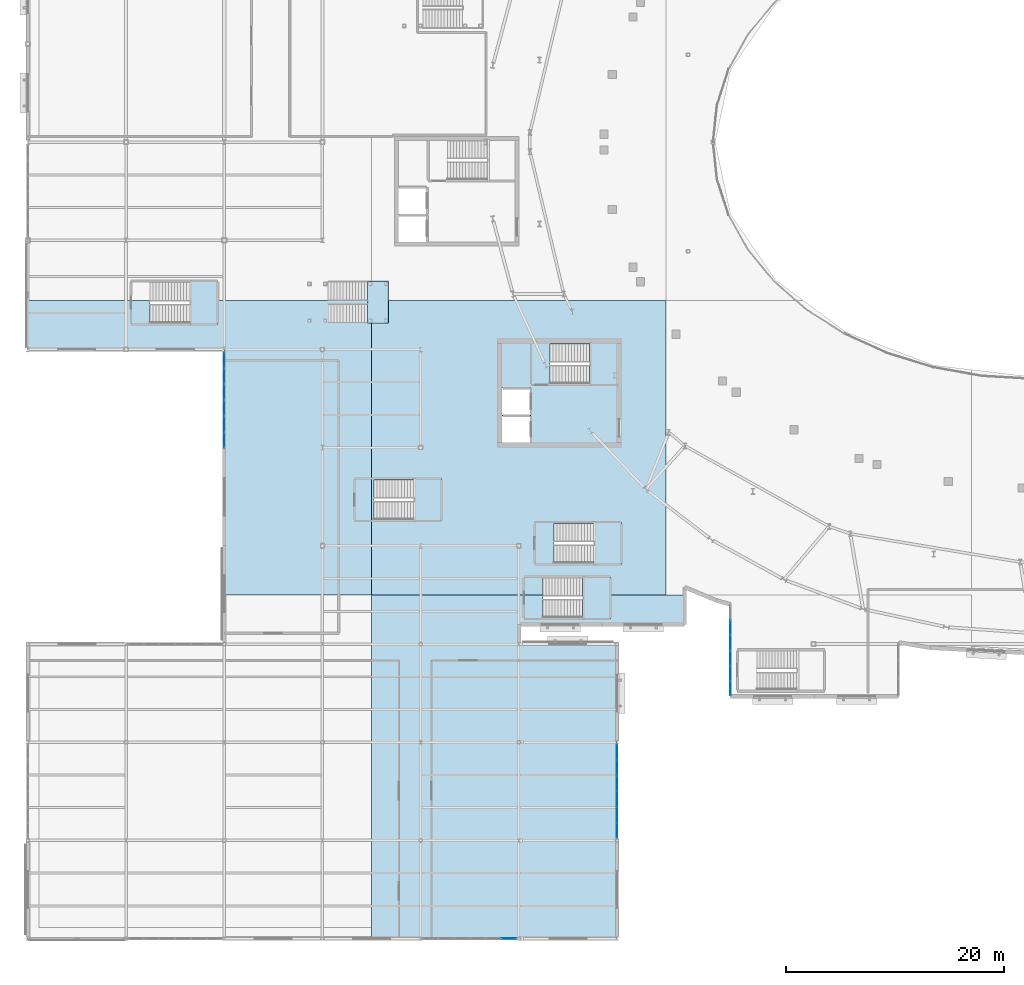
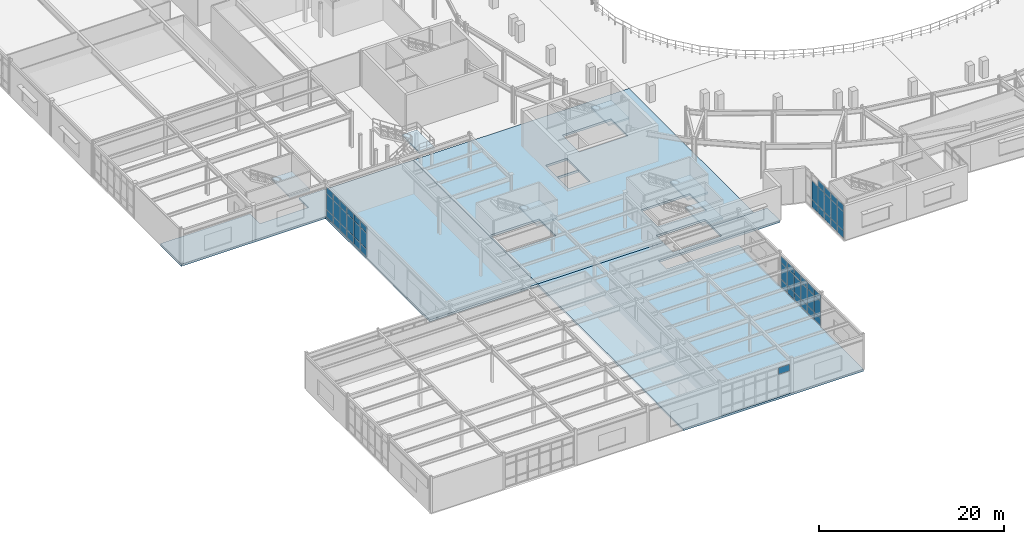
# One storey, part 50 of 84: 51 plates, 9 slabs, 10 elements without a shape of their own.
"""IFC4 building model written with IfcOpenShell, lengths in metres."""

from ifc_helpers import new_model, si_unit, direction, frame, origin, origin_2d, place, context, subcontext, project, spatial, polyline, rectangle, outline, extrude, material, layer, layer_set, type_object, element, aggregate, save


model = new_model("IFC4")

# Units and contexts
model_context = context("Model", 3, precision=1e-05, world=origin(), true_north=direction((0.0, 1.0)))
body_context = subcontext(model_context, "Body", "Model", "MODEL_VIEW")
ifc_project = project(units=[si_unit("LENGTHUNIT", "METRE"), si_unit("AREAUNIT", "SQUARE_METRE"), si_unit("VOLUMEUNIT", "CUBIC_METRE"), si_unit("PLANEANGLEUNIT", "RADIAN"), si_unit("MASSUNIT", "GRAM", prefix="KILO")], contexts=[model_context])

# Site, building, storey
site_placement = place(None, origin())
site = spatial("IfcSite", under=ifc_project, at=site_placement, CompositionType="ELEMENT")
building_placement = place(site_placement, origin())
building = spatial("IfcBuilding", under=site, at=building_placement, Name="Glasvene Arena", CompositionType="ELEMENT")
storey_placement = place(building_placement, frame((0.0, 0.0, 10.199951171875)))
storey = spatial("IfcBuildingStorey", under=building, at=storey_placement, Name="L02", CompositionType="ELEMENT", Elevation=10.199951171875)

# Curtain wall, plates
ifc_material_1 = material(Name="Low-emissivity laminated double glazing", Category="glass")
curtain_wall_type_1 = type_object("IfcCurtainWallType", Name="CW-FAC-L02-834x446", PredefinedType="USERDEFINED", material=ifc_material_1)
curtain_wall_1_placement = place(storey_placement, frame((64.39990234375, 22.239990234375, 0.0)))
curtain_wall_1 = element("IfcCurtainWall", 1, at=curtain_wall_1_placement, inside=storey, type_object=curtain_wall_type_1, Name="Unitised curtain wall CW-F-L02-180-644-264-58", ObjectType="CURTAIN WALL", PredefinedType="USERDEFINED")
ifc_layer_1 = layer(ifc_material_1, 0.028076171875)
ifc_layer_set_1 = layer_set([ifc_layer_1], Name="Low-emissivity laminated double glazing")
plate_type = type_object("IfcPlateType", Name="CW-GLZ-28", PredefinedType="CURTAIN_PANEL", material=ifc_layer_set_1)
plate_1_placement = place(storey_placement, frame((64.39990234375, 22.94775390625, 0.10986328125), z_axis=(0.0, 0.0, 1.0), x_axis=(0.0, 1.0, 0.0)))
plate_1 = element("IfcPlate", 2, at=plate_1_placement, type_object=plate_type, Name="CW-028 panel 1.1", PredefinedType="CURTAIN_PANEL", context=body_context, shape_type="SweptSolid", body=[
    extrude(rectangle(XDim=1.315185546875, YDim=0.028076171875, at=origin_2d()), origin(), (0.0, 0.0, 1.0), 0.965087890625),
])
plate_2_placement = place(storey_placement, frame((64.39990234375, 22.94775390625, 1.125), z_axis=(0.0, 0.0, 1.0), x_axis=(0.0, 1.0, 0.0)))
plate_2 = element("IfcPlate", 3, at=plate_2_placement, type_object=plate_type, Name="CW-028 panel 1.2", PredefinedType="CURTAIN_PANEL", context=body_context, shape_type="SweptSolid", body=[
    extrude(rectangle(XDim=1.315185546875, YDim=0.028076171875, at=origin_2d()), origin(), (0.0, 0.0, 1.0), 2.469970703125),
])
plate_3_placement = place(storey_placement, frame((64.39990234375, 22.94775390625, 3.64501953125), z_axis=(0.0, 0.0, 1.0), x_axis=(0.0, 1.0, 0.0)))
plate_3 = element("IfcPlate", 4, at=plate_3_placement, type_object=plate_type, Name="CW-028 panel 1.3", PredefinedType="CURTAIN_PANEL", context=body_context, shape_type="SweptSolid", body=[
    extrude(rectangle(XDim=1.315185546875, YDim=0.028076171875, at=origin_2d()), origin(), (0.0, 0.0, 1.0), 0.824951171875),
])
plate_4_placement = place(storey_placement, frame((64.39990234375, 24.325439453125, 0.10986328125), z_axis=(0.0, 0.0, 1.0), x_axis=(0.0, 1.0, 0.0)))
plate_4 = element("IfcPlate", 5, at=plate_4_placement, type_object=plate_type, Name="CW-028 panel 2.1", PredefinedType="CURTAIN_PANEL", context=body_context, shape_type="SweptSolid", body=[
    extrude(rectangle(XDim=1.34033203125, YDim=0.028076171875, at=origin_2d()), origin(), (0.0, 0.0, 1.0), 0.965087890625),
])
plate_5_placement = place(storey_placement, frame((64.39990234375, 24.325439453125, 1.125), z_axis=(0.0, 0.0, 1.0), x_axis=(0.0, 1.0, 0.0)))
plate_5 = element("IfcPlate", 6, at=plate_5_placement, type_object=plate_type, Name="CW-028 panel 2.2", PredefinedType="CURTAIN_PANEL", context=body_context, shape_type="SweptSolid", body=[
    extrude(rectangle(XDim=1.34033203125, YDim=0.028076171875, at=origin_2d()), origin(), (0.0, 0.0, 1.0), 2.469970703125),
])
plate_6_placement = place(storey_placement, frame((64.39990234375, 24.325439453125, 3.64501953125), z_axis=(0.0, 0.0, 1.0), x_axis=(0.0, 1.0, 0.0)))
plate_6 = element("IfcPlate", 7, at=plate_6_placement, type_object=plate_type, Name="CW-028 panel 2.3", PredefinedType="CURTAIN_PANEL", context=body_context, shape_type="SweptSolid", body=[
    extrude(rectangle(XDim=1.34033203125, YDim=0.028076171875, at=origin_2d()), origin(), (0.0, 0.0, 1.0), 0.824951171875),
])
plate_7_placement = place(storey_placement, frame((64.39990234375, 25.7158203125, 0.10986328125), z_axis=(0.0, 0.0, 1.0), x_axis=(0.0, 1.0, 0.0)))
plate_7 = element("IfcPlate", 8, at=plate_7_placement, type_object=plate_type, Name="CW-028 panel 3.1", PredefinedType="CURTAIN_PANEL", context=body_context, shape_type="SweptSolid", body=[
    extrude(rectangle(XDim=1.34033203125, YDim=0.028076171875, at=origin_2d()), origin(), (0.0, 0.0, 1.0), 0.965087890625),
])
plate_8_placement = place(storey_placement, frame((64.39990234375, 25.7158203125, 1.125), z_axis=(0.0, 0.0, 1.0), x_axis=(0.0, 1.0, 0.0)))
plate_8 = element("IfcPlate", 9, at=plate_8_placement, type_object=plate_type, Name="CW-028 panel 3.2", PredefinedType="CURTAIN_PANEL", context=body_context, shape_type="SweptSolid", body=[
    extrude(rectangle(XDim=1.34033203125, YDim=0.028076171875, at=origin_2d()), origin(), (0.0, 0.0, 1.0), 2.469970703125),
])
plate_9_placement = place(storey_placement, frame((64.39990234375, 25.7158203125, 3.64501953125), z_axis=(0.0, 0.0, 1.0), x_axis=(0.0, 1.0, 0.0)))
plate_9 = element("IfcPlate", 10, at=plate_9_placement, type_object=plate_type, Name="CW-028 panel 3.3", PredefinedType="CURTAIN_PANEL", context=body_context, shape_type="SweptSolid", body=[
    extrude(rectangle(XDim=1.34033203125, YDim=0.028076171875, at=origin_2d()), origin(), (0.0, 0.0, 1.0), 0.824951171875),
])
plate_10_placement = place(storey_placement, frame((64.39990234375, 27.10595703125, 0.10986328125), z_axis=(0.0, 0.0, 1.0), x_axis=(0.0, 1.0, 0.0)))
plate_10 = element("IfcPlate", 11, at=plate_10_placement, type_object=plate_type, Name="CW-028 panel 4.1", PredefinedType="CURTAIN_PANEL", context=body_context, shape_type="SweptSolid", body=[
    extrude(rectangle(XDim=1.34033203125, YDim=0.028076171875, at=origin_2d()), origin(), (0.0, 0.0, 1.0), 0.965087890625),
])
plate_11_placement = place(storey_placement, frame((64.39990234375, 27.10595703125, 1.125), z_axis=(0.0, 0.0, 1.0), x_axis=(0.0, 1.0, 0.0)))
plate_11 = element("IfcPlate", 12, at=plate_11_placement, type_object=plate_type, Name="CW-028 panel 4.2", PredefinedType="CURTAIN_PANEL", context=body_context, shape_type="SweptSolid", body=[
    extrude(rectangle(XDim=1.34033203125, YDim=0.028076171875, at=origin_2d()), origin(), (0.0, 0.0, 1.0), 2.469970703125),
])
plate_12_placement = place(storey_placement, frame((64.39990234375, 27.10595703125, 3.64501953125), z_axis=(0.0, 0.0, 1.0), x_axis=(0.0, 1.0, 0.0)))
plate_12 = element("IfcPlate", 13, at=plate_12_placement, type_object=plate_type, Name="CW-028 panel 4.3", PredefinedType="CURTAIN_PANEL", context=body_context, shape_type="SweptSolid", body=[
    extrude(rectangle(XDim=1.34033203125, YDim=0.028076171875, at=origin_2d()), origin(), (0.0, 0.0, 1.0), 0.824951171875),
])
plate_13_placement = place(storey_placement, frame((64.39990234375, 28.496337890625, 0.10986328125), z_axis=(0.0, 0.0, 1.0), x_axis=(0.0, 1.0, 0.0)))
plate_13 = element("IfcPlate", 14, at=plate_13_placement, type_object=plate_type, Name="CW-028 panel 5.1", PredefinedType="CURTAIN_PANEL", context=body_context, shape_type="SweptSolid", body=[
    extrude(rectangle(XDim=1.34033203125, YDim=0.028076171875, at=origin_2d()), origin(), (0.0, 0.0, 1.0), 0.965087890625),
])
plate_14_placement = place(storey_placement, frame((64.39990234375, 28.496337890625, 1.125), z_axis=(0.0, 0.0, 1.0), x_axis=(0.0, 1.0, 0.0)))
plate_14 = element("IfcPlate", 15, at=plate_14_placement, type_object=plate_type, Name="CW-028 panel 5.2", PredefinedType="CURTAIN_PANEL", context=body_context, shape_type="SweptSolid", body=[
    extrude(rectangle(XDim=1.34033203125, YDim=0.028076171875, at=origin_2d()), origin(), (0.0, 0.0, 1.0), 2.469970703125),
])
aggregate(curtain_wall_1, [plate_1, plate_2, plate_3, plate_4, plate_5, plate_6, plate_7, plate_8, plate_9, plate_10, plate_11, plate_12, plate_13, plate_14])

curtain_wall_type_2 = type_object("IfcCurtainWallType", Name="CW-FAC-L02-864x416", PredefinedType="USERDEFINED", material=ifc_material_1)
curtain_wall_2_placement = place(storey_placement, frame((54.0, 17.827880859375, 0.0)))
curtain_wall_2 = element("IfcCurtainWall", 16, at=curtain_wall_2_placement, inside=storey, type_object=curtain_wall_type_2, Name="Unitised curtain wall CW-F-L02-180-540-135-67", ObjectType="CURTAIN WALL", PredefinedType="USERDEFINED")
plate_15_placement = place(storey_placement, frame((54.0, 17.095703125, 0.10986328125), z_axis=(0.0, 0.0, 1.0), x_axis=(0.0, -1.0, 0.0)))
plate_15 = element("IfcPlate", 17, at=plate_15_placement, type_object=plate_type, Name="CW-029 panel 1.1", PredefinedType="CURTAIN_PANEL", context=body_context, shape_type="SweptSolid", body=[
    extrude(rectangle(XDim=1.3642578125, YDim=0.028076171875, at=origin_2d()), origin(), (0.0, 0.0, 1.0), 0.965087890625),
])
plate_16_placement = place(storey_placement, frame((54.0, 17.095703125, 1.125), z_axis=(0.0, 0.0, 1.0), x_axis=(0.0, -1.0, 0.0)))
plate_16 = element("IfcPlate", 18, at=plate_16_placement, type_object=plate_type, Name="CW-029 panel 1.2", PredefinedType="CURTAIN_PANEL", context=body_context, shape_type="SweptSolid", body=[
    extrude(rectangle(XDim=1.3642578125, YDim=0.028076171875, at=origin_2d()), origin(), (0.0, 0.0, 1.0), 2.1650390625),
])
plate_17_placement = place(storey_placement, frame((54.0, 17.095703125, 3.33984375), z_axis=(0.0, 0.0, 1.0), x_axis=(0.0, -1.0, 0.0)))
plate_17 = element("IfcPlate", 19, at=plate_17_placement, type_object=plate_type, Name="CW-029 panel 1.3", PredefinedType="CURTAIN_PANEL", context=body_context, shape_type="SweptSolid", body=[
    extrude(rectangle(XDim=1.3642578125, YDim=0.028076171875, at=origin_2d()), origin(), (0.0, 0.0, 1.0), 0.824951171875),
])
plate_18_placement = place(storey_placement, frame((54.0, 15.6689453125, 0.10986328125), z_axis=(0.0, 0.0, 1.0), x_axis=(0.0, -1.0, 0.0)))
plate_18 = element("IfcPlate", 20, at=plate_18_placement, type_object=plate_type, Name="CW-029 panel 2.1", PredefinedType="CURTAIN_PANEL", context=body_context, shape_type="SweptSolid", body=[
    extrude(rectangle(XDim=1.389404296875, YDim=0.028076171875, at=origin_2d()), origin(), (0.0, 0.0, 1.0), 0.965087890625),
])
plate_19_placement = place(storey_placement, frame((54.0, 15.6689453125, 1.125), z_axis=(0.0, 0.0, 1.0), x_axis=(0.0, -1.0, 0.0)))
plate_19 = element("IfcPlate", 21, at=plate_19_placement, type_object=plate_type, Name="CW-029 panel 2.2", PredefinedType="CURTAIN_PANEL", context=body_context, shape_type="SweptSolid", body=[
    extrude(rectangle(XDim=1.389404296875, YDim=0.028076171875, at=origin_2d()), origin(), (0.0, 0.0, 1.0), 2.1650390625),
])
plate_20_placement = place(storey_placement, frame((54.0, 15.6689453125, 3.33984375), z_axis=(0.0, 0.0, 1.0), x_axis=(0.0, -1.0, 0.0)))
plate_20 = element("IfcPlate", 22, at=plate_20_placement, type_object=plate_type, Name="CW-029 panel 2.3", PredefinedType="CURTAIN_PANEL", context=body_context, shape_type="SweptSolid", body=[
    extrude(rectangle(XDim=1.389404296875, YDim=0.028076171875, at=origin_2d()), origin(), (0.0, 0.0, 1.0), 0.824951171875),
])
plate_21_placement = place(storey_placement, frame((54.0, 14.2294921875, 0.10986328125), z_axis=(0.0, 0.0, 1.0), x_axis=(0.0, -1.0, 0.0)))
plate_21 = element("IfcPlate", 23, at=plate_21_placement, type_object=plate_type, Name="CW-029 panel 3.1", PredefinedType="CURTAIN_PANEL", context=body_context, shape_type="SweptSolid", body=[
    extrude(rectangle(XDim=1.389404296875, YDim=0.028076171875, at=origin_2d()), origin(), (0.0, 0.0, 1.0), 0.965087890625),
])
plate_22_placement = place(storey_placement, frame((54.0, 14.2294921875, 1.125), z_axis=(0.0, 0.0, 1.0), x_axis=(0.0, -1.0, 0.0)))
plate_22 = element("IfcPlate", 24, at=plate_22_placement, type_object=plate_type, Name="CW-029 panel 3.2", PredefinedType="CURTAIN_PANEL", context=body_context, shape_type="SweptSolid", body=[
    extrude(rectangle(XDim=1.389404296875, YDim=0.028076171875, at=origin_2d()), origin(), (0.0, 0.0, 1.0), 2.1650390625),
])
plate_23_placement = place(storey_placement, frame((54.0, 14.2294921875, 3.33984375), z_axis=(0.0, 0.0, 1.0), x_axis=(0.0, -1.0, 0.0)))
plate_23 = element("IfcPlate", 25, at=plate_23_placement, type_object=plate_type, Name="CW-029 panel 3.3", PredefinedType="CURTAIN_PANEL", context=body_context, shape_type="SweptSolid", body=[
    extrude(rectangle(XDim=1.389404296875, YDim=0.028076171875, at=origin_2d()), origin(), (0.0, 0.0, 1.0), 0.824951171875),
])
plate_24_placement = place(storey_placement, frame((54.0, 12.790283203125, 0.10986328125), z_axis=(0.0, 0.0, 1.0), x_axis=(0.0, -1.0, 0.0)))
plate_24 = element("IfcPlate", 26, at=plate_24_placement, type_object=plate_type, Name="CW-029 panel 4.1", PredefinedType="CURTAIN_PANEL", context=body_context, shape_type="SweptSolid", body=[
    extrude(rectangle(XDim=1.389404296875, YDim=0.028076171875, at=origin_2d()), origin(), (0.0, 0.0, 1.0), 0.965087890625),
])
plate_25_placement = place(storey_placement, frame((54.0, 12.790283203125, 1.125), z_axis=(0.0, 0.0, 1.0), x_axis=(0.0, -1.0, 0.0)))
plate_25 = element("IfcPlate", 27, at=plate_25_placement, type_object=plate_type, Name="CW-029 panel 4.2", PredefinedType="CURTAIN_PANEL", context=body_context, shape_type="SweptSolid", body=[
    extrude(rectangle(XDim=1.389404296875, YDim=0.028076171875, at=origin_2d()), origin(), (0.0, 0.0, 1.0), 2.1650390625),
])
plate_26_placement = place(storey_placement, frame((54.0, 12.790283203125, 3.33984375), z_axis=(0.0, 0.0, 1.0), x_axis=(0.0, -1.0, 0.0)))
plate_26 = element("IfcPlate", 28, at=plate_26_placement, type_object=plate_type, Name="CW-029 panel 4.3", PredefinedType="CURTAIN_PANEL", context=body_context, shape_type="SweptSolid", body=[
    extrude(rectangle(XDim=1.389404296875, YDim=0.028076171875, at=origin_2d()), origin(), (0.0, 0.0, 1.0), 0.824951171875),
])
plate_27_placement = place(storey_placement, frame((54.0, 11.35107421875, 0.10986328125), z_axis=(0.0, 0.0, 1.0), x_axis=(0.0, -1.0, 0.0)))
plate_27 = element("IfcPlate", 29, at=plate_27_placement, type_object=plate_type, Name="CW-029 panel 5.1", PredefinedType="CURTAIN_PANEL", context=body_context, shape_type="SweptSolid", body=[
    extrude(rectangle(XDim=1.389404296875, YDim=0.028076171875, at=origin_2d()), origin(), (0.0, 0.0, 1.0), 0.965087890625),
])
plate_28_placement = place(storey_placement, frame((54.0, 11.35107421875, 1.125), z_axis=(0.0, 0.0, 1.0), x_axis=(0.0, -1.0, 0.0)))
plate_28 = element("IfcPlate", 30, at=plate_28_placement, type_object=plate_type, Name="CW-029 panel 5.2", PredefinedType="CURTAIN_PANEL", context=body_context, shape_type="SweptSolid", body=[
    extrude(rectangle(XDim=1.389404296875, YDim=0.028076171875, at=origin_2d()), origin(), (0.0, 0.0, 1.0), 2.1650390625),
])
plate_29_placement = place(storey_placement, frame((54.0, 11.35107421875, 3.33984375), z_axis=(0.0, 0.0, 1.0), x_axis=(0.0, -1.0, 0.0)))
plate_29 = element("IfcPlate", 31, at=plate_29_placement, type_object=plate_type, Name="CW-029 panel 5.3", PredefinedType="CURTAIN_PANEL", context=body_context, shape_type="SweptSolid", body=[
    extrude(rectangle(XDim=1.389404296875, YDim=0.028076171875, at=origin_2d()), origin(), (0.0, 0.0, 1.0), 0.824951171875),
])
plate_30_placement = place(storey_placement, frame((54.0, 9.924072265625, 0.10986328125), z_axis=(0.0, 0.0, 1.0), x_axis=(0.0, -1.0, 0.0)))
plate_30 = element("IfcPlate", 32, at=plate_30_placement, type_object=plate_type, Name="CW-029 panel 6.1", PredefinedType="CURTAIN_PANEL", context=body_context, shape_type="SweptSolid", body=[
    extrude(rectangle(XDim=1.3642578125, YDim=0.028076171875, at=origin_2d()), origin(), (0.0, 0.0, 1.0), 0.965087890625),
])
plate_31_placement = place(storey_placement, frame((54.0, 9.924072265625, 1.125), z_axis=(0.0, 0.0, 1.0), x_axis=(0.0, -1.0, 0.0)))
plate_31 = element("IfcPlate", 33, at=plate_31_placement, type_object=plate_type, Name="CW-029 panel 6.2", PredefinedType="CURTAIN_PANEL", context=body_context, shape_type="SweptSolid", body=[
    extrude(rectangle(XDim=1.3642578125, YDim=0.028076171875, at=origin_2d()), origin(), (0.0, 0.0, 1.0), 2.1650390625),
])
plate_32_placement = place(storey_placement, frame((54.0, 9.924072265625, 3.33984375), z_axis=(0.0, 0.0, 1.0), x_axis=(0.0, -1.0, 0.0)))
plate_32 = element("IfcPlate", 34, at=plate_32_placement, type_object=plate_type, Name="CW-029 panel 6.3", PredefinedType="CURTAIN_PANEL", context=body_context, shape_type="SweptSolid", body=[
    extrude(rectangle(XDim=1.3642578125, YDim=0.028076171875, at=origin_2d()), origin(), (0.0, 0.0, 1.0), 0.824951171875),
])
aggregate(curtain_wall_2, [plate_15, plate_16, plate_17, plate_18, plate_19, plate_20, plate_21, plate_22, plate_23, plate_24, plate_25, plate_26, plate_27, plate_28, plate_29, plate_30, plate_31, plate_32])

# Curtain wall, plate
curtain_wall_type_3 = type_object("IfcCurtainWallType", Name="CW-FAC-L02-864x385", PredefinedType="USERDEFINED", material=ifc_material_1)
curtain_wall_3_placement = place(storey_placement, frame((44.80810546875, 0.0, 0.0)))
curtain_wall_3 = element("IfcCurtainWall", 35, at=curtain_wall_3_placement, inside=storey, type_object=curtain_wall_type_3, Name="Unitised curtain wall CW-F-L02-150-405-0-70", ObjectType="CURTAIN WALL", PredefinedType="USERDEFINED")
plate_33_placement = place(storey_placement, frame((44.07568359375, 0.0, 3.0322265625), z_axis=(0.0, 0.0, 1.0), x_axis=(-1.0, 0.0, 0.0)))
plate_33 = element("IfcPlate", 36, at=plate_33_placement, type_object=plate_type, Name="CW-030 panel 1.3", PredefinedType="CURTAIN_PANEL", context=body_context, shape_type="SweptSolid", body=[
    extrude(rectangle(XDim=1.36474609375, YDim=0.028076171875, at=origin_2d()), origin(), (0.0, 0.0, 1.0), 0.824951171875),
])
aggregate(curtain_wall_3, [plate_33])

# Curtain wall, plates
curtain_wall_type_4 = type_object("IfcCurtainWallType", Name="CW-FAC-L02-880x406", PredefinedType="USERDEFINED", material=ifc_material_1)
curtain_wall_4_placement = place(storey_placement, frame((18.0, 44.9560546875, 0.0)))
curtain_wall_4 = element("IfcCurtainWall", 37, at=curtain_wall_4_placement, inside=storey, type_object=curtain_wall_type_4, Name="Unitised curtain wall CW-F-L02-180-180-494-82", ObjectType="CURTAIN WALL", PredefinedType="USERDEFINED")
plate_34_placement = place(storey_placement, frame((18.0, 45.701904296875, 0.10986328125), z_axis=(0.0, 0.0, 1.0), x_axis=(0.0, 1.0, 0.0)))
plate_34 = element("IfcPlate", 38, at=plate_34_placement, type_object=plate_type, Name="CW-031 panel 1.1", PredefinedType="CURTAIN_PANEL", context=body_context, shape_type="SweptSolid", body=[
    extrude(rectangle(XDim=1.39208984375, YDim=0.028076171875, at=origin_2d()), origin(), (0.0, 0.0, 1.0), 0.965087890625),
])
plate_35_placement = place(storey_placement, frame((18.0, 45.701904296875, 1.125), z_axis=(0.0, 0.0, 1.0), x_axis=(0.0, 1.0, 0.0)))
plate_35 = element("IfcPlate", 39, at=plate_35_placement, type_object=plate_type, Name="CW-031 panel 1.2", PredefinedType="CURTAIN_PANEL", context=body_context, shape_type="SweptSolid", body=[
    extrude(rectangle(XDim=1.39208984375, YDim=0.028076171875, at=origin_2d()), origin(), (0.0, 0.0, 1.0), 2.06494140625),
])
plate_36_placement = place(storey_placement, frame((18.0, 45.701904296875, 3.240234375), z_axis=(0.0, 0.0, 1.0), x_axis=(0.0, 1.0, 0.0)))
plate_36 = element("IfcPlate", 40, at=plate_36_placement, type_object=plate_type, Name="CW-031 panel 1.3", PredefinedType="CURTAIN_PANEL", context=body_context, shape_type="SweptSolid", body=[
    extrude(rectangle(XDim=1.39208984375, YDim=0.028076171875, at=origin_2d()), origin(), (0.0, 0.0, 1.0), 0.824951171875),
])
plate_37_placement = place(storey_placement, frame((18.0, 47.156494140625, 0.10986328125), z_axis=(0.0, 0.0, 1.0), x_axis=(0.0, 1.0, 0.0)))
plate_37 = element("IfcPlate", 41, at=plate_37_placement, type_object=plate_type, Name="CW-031 panel 2.1", PredefinedType="CURTAIN_PANEL", context=body_context, shape_type="SweptSolid", body=[
    extrude(rectangle(XDim=1.4169921875, YDim=0.028076171875, at=origin_2d()), origin(), (0.0, 0.0, 1.0), 0.965087890625),
])
plate_38_placement = place(storey_placement, frame((18.0, 47.156494140625, 1.125), z_axis=(0.0, 0.0, 1.0), x_axis=(0.0, 1.0, 0.0)))
plate_38 = element("IfcPlate", 42, at=plate_38_placement, type_object=plate_type, Name="CW-031 panel 2.2", PredefinedType="CURTAIN_PANEL", context=body_context, shape_type="SweptSolid", body=[
    extrude(rectangle(XDim=1.4169921875, YDim=0.028076171875, at=origin_2d()), origin(), (0.0, 0.0, 1.0), 2.06494140625),
])
plate_39_placement = place(storey_placement, frame((18.0, 47.156494140625, 3.240234375), z_axis=(0.0, 0.0, 1.0), x_axis=(0.0, 1.0, 0.0)))
plate_39 = element("IfcPlate", 43, at=plate_39_placement, type_object=plate_type, Name="CW-031 panel 2.3", PredefinedType="CURTAIN_PANEL", context=body_context, shape_type="SweptSolid", body=[
    extrude(rectangle(XDim=1.4169921875, YDim=0.028076171875, at=origin_2d()), origin(), (0.0, 0.0, 1.0), 0.824951171875),
])
plate_40_placement = place(storey_placement, frame((18.0, 48.62353515625, 0.10986328125), z_axis=(0.0, 0.0, 1.0), x_axis=(0.0, 1.0, 0.0)))
plate_40 = element("IfcPlate", 44, at=plate_40_placement, type_object=plate_type, Name="CW-031 panel 3.1", PredefinedType="CURTAIN_PANEL", context=body_context, shape_type="SweptSolid", body=[
    extrude(rectangle(XDim=1.4169921875, YDim=0.028076171875, at=origin_2d()), origin(), (0.0, 0.0, 1.0), 0.965087890625),
])
plate_41_placement = place(storey_placement, frame((18.0, 48.62353515625, 1.125), z_axis=(0.0, 0.0, 1.0), x_axis=(0.0, 1.0, 0.0)))
plate_41 = element("IfcPlate", 45, at=plate_41_placement, type_object=plate_type, Name="CW-031 panel 3.2", PredefinedType="CURTAIN_PANEL", context=body_context, shape_type="SweptSolid", body=[
    extrude(rectangle(XDim=1.4169921875, YDim=0.028076171875, at=origin_2d()), origin(), (0.0, 0.0, 1.0), 2.06494140625),
])
plate_42_placement = place(storey_placement, frame((18.0, 48.62353515625, 3.240234375), z_axis=(0.0, 0.0, 1.0), x_axis=(0.0, 1.0, 0.0)))
plate_42 = element("IfcPlate", 46, at=plate_42_placement, type_object=plate_type, Name="CW-031 panel 3.3", PredefinedType="CURTAIN_PANEL", context=body_context, shape_type="SweptSolid", body=[
    extrude(rectangle(XDim=1.4169921875, YDim=0.028076171875, at=origin_2d()), origin(), (0.0, 0.0, 1.0), 0.824951171875),
])
plate_43_placement = place(storey_placement, frame((18.0, 50.090576171875, 0.10986328125), z_axis=(0.0, 0.0, 1.0), x_axis=(0.0, 1.0, 0.0)))
plate_43 = element("IfcPlate", 47, at=plate_43_placement, type_object=plate_type, Name="CW-031 panel 4.1", PredefinedType="CURTAIN_PANEL", context=body_context, shape_type="SweptSolid", body=[
    extrude(rectangle(XDim=1.4169921875, YDim=0.028076171875, at=origin_2d()), origin(), (0.0, 0.0, 1.0), 0.965087890625),
])
plate_44_placement = place(storey_placement, frame((18.0, 50.090576171875, 1.125), z_axis=(0.0, 0.0, 1.0), x_axis=(0.0, 1.0, 0.0)))
plate_44 = element("IfcPlate", 48, at=plate_44_placement, type_object=plate_type, Name="CW-031 panel 4.2", PredefinedType="CURTAIN_PANEL", context=body_context, shape_type="SweptSolid", body=[
    extrude(rectangle(XDim=1.4169921875, YDim=0.028076171875, at=origin_2d()), origin(), (0.0, 0.0, 1.0), 2.06494140625),
])
plate_45_placement = place(storey_placement, frame((18.0, 50.090576171875, 3.240234375), z_axis=(0.0, 0.0, 1.0), x_axis=(0.0, 1.0, 0.0)))
plate_45 = element("IfcPlate", 49, at=plate_45_placement, type_object=plate_type, Name="CW-031 panel 4.3", PredefinedType="CURTAIN_PANEL", context=body_context, shape_type="SweptSolid", body=[
    extrude(rectangle(XDim=1.4169921875, YDim=0.028076171875, at=origin_2d()), origin(), (0.0, 0.0, 1.0), 0.824951171875),
])
plate_46_placement = place(storey_placement, frame((18.0, 51.5576171875, 0.10986328125), z_axis=(0.0, 0.0, 1.0), x_axis=(0.0, 1.0, 0.0)))
plate_46 = element("IfcPlate", 50, at=plate_46_placement, type_object=plate_type, Name="CW-031 panel 5.1", PredefinedType="CURTAIN_PANEL", context=body_context, shape_type="SweptSolid", body=[
    extrude(rectangle(XDim=1.4169921875, YDim=0.028076171875, at=origin_2d()), origin(), (0.0, 0.0, 1.0), 0.965087890625),
])
plate_47_placement = place(storey_placement, frame((18.0, 51.5576171875, 1.125), z_axis=(0.0, 0.0, 1.0), x_axis=(0.0, 1.0, 0.0)))
plate_47 = element("IfcPlate", 51, at=plate_47_placement, type_object=plate_type, Name="CW-031 panel 5.2", PredefinedType="CURTAIN_PANEL", context=body_context, shape_type="SweptSolid", body=[
    extrude(rectangle(XDim=1.4169921875, YDim=0.028076171875, at=origin_2d()), origin(), (0.0, 0.0, 1.0), 2.06494140625),
])
plate_48_placement = place(storey_placement, frame((18.0, 51.5576171875, 3.240234375), z_axis=(0.0, 0.0, 1.0), x_axis=(0.0, 1.0, 0.0)))
plate_48 = element("IfcPlate", 52, at=plate_48_placement, type_object=plate_type, Name="CW-031 panel 5.3", PredefinedType="CURTAIN_PANEL", context=body_context, shape_type="SweptSolid", body=[
    extrude(rectangle(XDim=1.4169921875, YDim=0.028076171875, at=origin_2d()), origin(), (0.0, 0.0, 1.0), 0.824951171875),
])
plate_49_placement = place(storey_placement, frame((18.0, 53.011962890625, 0.10986328125), z_axis=(0.0, 0.0, 1.0), x_axis=(0.0, 1.0, 0.0)))
plate_49 = element("IfcPlate", 53, at=plate_49_placement, type_object=plate_type, Name="CW-031 panel 6.1", PredefinedType="CURTAIN_PANEL", context=body_context, shape_type="SweptSolid", body=[
    extrude(rectangle(XDim=1.39208984375, YDim=0.028076171875, at=origin_2d()), origin(), (0.0, 0.0, 1.0), 0.965087890625),
])
plate_50_placement = place(storey_placement, frame((18.0, 53.011962890625, 1.125), z_axis=(0.0, 0.0, 1.0), x_axis=(0.0, 1.0, 0.0)))
plate_50 = element("IfcPlate", 54, at=plate_50_placement, type_object=plate_type, Name="CW-031 panel 6.2", PredefinedType="CURTAIN_PANEL", context=body_context, shape_type="SweptSolid", body=[
    extrude(rectangle(XDim=1.39208984375, YDim=0.028076171875, at=origin_2d()), origin(), (0.0, 0.0, 1.0), 2.06494140625),
])
plate_51_placement = place(storey_placement, frame((18.0, 53.011962890625, 3.240234375), z_axis=(0.0, 0.0, 1.0), x_axis=(0.0, 1.0, 0.0)))
plate_51 = element("IfcPlate", 55, at=plate_51_placement, type_object=plate_type, Name="CW-031 panel 6.3", PredefinedType="CURTAIN_PANEL", context=body_context, shape_type="SweptSolid", body=[
    extrude(rectangle(XDim=1.39208984375, YDim=0.028076171875, at=origin_2d()), origin(), (0.0, 0.0, 1.0), 0.824951171875),
])
aggregate(curtain_wall_4, [plate_34, plate_35, plate_36, plate_37, plate_38, plate_39, plate_40, plate_41, plate_42, plate_43, plate_44, plate_45, plate_46, plate_47, plate_48, plate_49, plate_50, plate_51])

# Slabs
ifc_material_2 = material(Name="Concrete C40/50", Category="concrete")
ifc_layer_2 = layer(ifc_material_2, 0.280029296875)
ifc_layer_set_2 = layer_set([ifc_layer_2], Name="Concrete C40/50")
slab_type_1 = type_object("IfcSlabType", Name="SL-CONC-280", PredefinedType="FLOOR", material=ifc_layer_set_2)
slab_1_placement = place(storey_placement, frame((48.53369140625, 24.699951171875, -0.280029296875)))
element("IfcSlab", 56, at=slab_1_placement, inside=storey, type_object=slab_type_1, Name="Structural floor slab L02 sector 1-2 (62)", PredefinedType="FLOOR", context=body_context, shape_type="SweptSolid", body=[
    extrude(outline(polyline([(5.46630859375, 2.300048828125), (5.46630859375, -24.699951171875), (-17.03369140625, -24.699951171875), (-17.03369140625, 6.800048828125), (-1.331787109375, 6.800048828125), (-1.331787109375, 4.699951171875), (4.766357421875, 4.699951171875), (4.766357421875, 6.800048828125), (11.666259765625, 6.800048828125), (11.666259765625, 4.10009765625), (-3.53369140625, 4.10009765625), (-3.53369140625, 2.300048828125), (5.46630859375, 2.300048828125)])), origin(), (0.0, 0.0, 1.0), 0.280029296875),
])
slab_2_placement = place(storey_placement, frame((15.600341796875, 51.780029296875, -0.280029296875)))
element("IfcSlab", 57, at=slab_2_placement, inside=storey, type_object=slab_type_1, Name="Structural floor slab L02 sector 2-1 (65)", PredefinedType="FLOOR", context=body_context, shape_type="SweptSolid", body=[
    extrude(outline(polyline([(-4.3984375, 6.719970703125), (-4.3984375, 4.619873046875), (1.69970703125, 4.619873046875), (1.69970703125, 6.719970703125), (15.899658203125, 6.719970703125), (15.899658203125, -20.280029296875), (2.399658203125, -20.280029296875), (2.399658203125, 2.219970703125), (-15.600341796875, 2.219970703125), (-15.600341796875, 6.719970703125), (-4.3984375, 6.719970703125)])), origin(), (0.0, 0.0, 1.0), 0.280029296875),
])
slab_3_placement = place(storey_placement, frame((47.62548828125, 38.637451171875, -0.280029296875)))
element("IfcSlab", 58, at=slab_3_placement, inside=storey, type_object=slab_type_1, Name="Structural floor slab L02 sector 2-2 (66)", PredefinedType="FLOOR", context=body_context, shape_type="SweptSolid", body=[
    extrude(outline(polyline([(-16.12548828125, 19.862548828125), (10.87451171875, 19.862548828125), (10.87451171875, -7.137451171875), (5.674560546875, -7.137451171875), (5.674560546875, -5.58740234375), (-0.423583984375, -5.58740234375), (-0.423583984375, -7.137451171875), (-16.12548828125, -7.137451171875), (-16.12548828125, 19.862548828125)]), holes=[polyline([(-9.825439453125, -0.237548828125), (-9.825439453125, 3.41259765625), (-15.923583984375, 3.41259765625), (-15.923583984375, -0.237548828125), (-9.825439453125, -0.237548828125)]), polyline([(-1.525390625, 6.8125), (-1.525390625, 9.262451171875), (-4.175537109375, 9.262451171875), (-4.175537109375, 6.8125), (-1.525390625, 6.8125)]), polyline([(-1.525390625, 11.8125), (-4.175537109375, 11.8125), (-4.175537109375, 9.362548828125), (-1.525390625, 9.362548828125), (-1.525390625, 11.8125)]), polyline([(6.324462890625, 12.212646484375), (6.324462890625, 15.862548828125), (0.2265625, 15.862548828125), (0.2265625, 12.212646484375), (6.324462890625, 12.212646484375)]), polyline([(6.674560546875, -4.237548828125), (6.674560546875, -0.58740234375), (0.576416015625, -0.58740234375), (0.576416015625, -4.237548828125), (6.674560546875, -4.237548828125)])]), origin(), (0.0, 0.0, 1.0), 0.280029296875),
])

# Stair, slab
stair_type_1 = type_object("IfcStairType", Name="ST-HT-480-170", PredefinedType="HALF_TURN_STAIR", material=ifc_material_2)
stair_1_placement = place(storey_placement, origin())
stair_1 = element("IfcStair", 59, at=stair_1_placement, inside=storey, type_object=stair_type_1, Name="Protected escape stair ST-03 (L02 to L03)", PredefinedType="HALF_TURN_STAIR")
ifc_layer_3 = layer(ifc_material_2, 0.219970703125)
ifc_layer_set_3 = layer_set([ifc_layer_3], Name="Concrete C40/50")
slab_type_2 = type_object("IfcSlabType", Name="SL-LAND-220", PredefinedType="LANDING", material=ifc_layer_set_3)
slab_4_placement = place(storey_placement, frame((52.77001953125, 52.675048828125, 2.179931640625)))
slab_4 = element("IfcSlab", 60, at=slab_4_placement, type_object=slab_type_2, Name="Protected escape stair ST-03 (L02 to L03) landing 1", PredefinedType="LANDING", context=body_context, shape_type="SweptSolid", body=[
    extrude(outline(polyline([(-1.280029296875, -1.925048828125), (1.280029296875, -1.925048828125), (1.280029296875, 1.925048828125), (-1.280029296875, 1.925048828125), (-1.280029296875, -1.925048828125)])), origin(), (0.0, 0.0, 1.0), 0.22021484375),
])
aggregate(stair_1, [slab_4])

stair_2_placement = place(storey_placement, origin())
stair_2 = element("IfcStair", 61, at=stair_2_placement, inside=storey, type_object=stair_type_1, Name="Protected escape stair ST-05 (L02 to L03)", PredefinedType="HALF_TURN_STAIR")
slab_5_placement = place(storey_placement, frame((53.1201171875, 36.22509765625, 2.179931640625)))
slab_5 = element("IfcSlab", 62, at=slab_5_placement, type_object=slab_type_2, Name="Protected escape stair ST-05 (L02 to L03) landing 1", PredefinedType="LANDING", context=body_context, shape_type="SweptSolid", body=[
    extrude(outline(polyline([(-1.280029296875, -1.925048828125), (1.27978515625, -1.925048828125), (1.27978515625, 1.9248046875), (-1.280029296875, 1.9248046875), (-1.280029296875, -1.925048828125)])), origin(), (0.0, 0.0, 1.0), 0.22021484375),
])
aggregate(stair_2, [slab_5])

stair_type_2 = type_object("IfcStairType", Name="ST-HT-480-175", PredefinedType="HALF_TURN_STAIR", material=ifc_material_2)
stair_3_placement = place(storey_placement, origin())
stair_3 = element("IfcStair", 63, at=stair_3_placement, inside=storey, type_object=stair_type_2, Name="Protected escape stair ST-13 (L02 to L03)", PredefinedType="HALF_TURN_STAIR")
slab_6_placement = place(storey_placement, frame((16.1201171875, 58.27490234375, 2.179931640625)))
slab_6 = element("IfcSlab", 64, at=slab_6_placement, type_object=slab_type_2, Name="Protected escape stair ST-13 (L02 to L03) landing 1", PredefinedType="LANDING", context=body_context, shape_type="SweptSolid", body=[
    extrude(outline(polyline([(-1.280029296875, -1.974853515625), (1.27978515625, -1.974853515625), (1.27978515625, 1.97509765625), (-1.280029296875, 1.97509765625), (-1.280029296875, -1.974853515625)])), origin(), (0.0, 0.0, 1.0), 0.22021484375),
])
aggregate(stair_3, [slab_6])

stair_4_placement = place(storey_placement, origin())
stair_4 = element("IfcStair", 65, at=stair_4_placement, inside=storey, type_object=stair_type_1, Name="Protected escape stair ST-15 (L02 to L03)", PredefinedType="HALF_TURN_STAIR")
slab_7_placement = place(storey_placement, frame((36.6201171875, 40.22509765625, 2.179931640625)))
slab_7 = element("IfcSlab", 66, at=slab_7_placement, type_object=slab_type_2, Name="Protected escape stair ST-15 (L02 to L03) landing 1", PredefinedType="LANDING", context=body_context, shape_type="SweptSolid", body=[
    extrude(outline(polyline([(-1.280029296875, -1.925048828125), (1.27978515625, -1.925048828125), (1.27978515625, 1.9248046875), (-1.280029296875, 1.9248046875), (-1.280029296875, -1.925048828125)])), origin(), (0.0, 0.0, 1.0), 0.22021484375),
])
aggregate(stair_4, [slab_7])

stair_5_placement = place(storey_placement, origin())
stair_5 = element("IfcStair", 67, at=stair_5_placement, inside=storey, type_object=stair_type_1, Name="Protected escape stair ST-16 (L02 to L03)", PredefinedType="HALF_TURN_STAIR")
slab_8_placement = place(storey_placement, frame((52.1201171875, 31.22509765625, 2.179931640625)))
slab_8 = element("IfcSlab", 68, at=slab_8_placement, type_object=slab_type_2, Name="Protected escape stair ST-16 (L02 to L03) landing 1", PredefinedType="LANDING", context=body_context, shape_type="SweptSolid", body=[
    extrude(outline(polyline([(-1.280029296875, -1.925048828125), (1.27978515625, -1.925048828125), (1.27978515625, 1.9248046875), (-1.280029296875, 1.9248046875), (-1.280029296875, -1.925048828125)])), origin(), (0.0, 0.0, 1.0), 0.22021484375),
])
aggregate(stair_5, [slab_8])

stair_type_3 = type_object("IfcStairType", Name="ST-HT-480-180", PredefinedType="HALF_TURN_STAIR", material=ifc_material_2)
stair_6_placement = place(storey_placement, origin())
stair_6 = element("IfcStair", 69, at=stair_6_placement, inside=storey, type_object=stair_type_3, Name="Vomitory Stair VOM-05 (L02 to L03)", PredefinedType="HALF_TURN_STAIR")
slab_9_placement = place(storey_placement, frame((32.090087890625, 58.324951171875, 2.179931640625)))
slab_9 = element("IfcSlab", 70, at=slab_9_placement, type_object=slab_type_2, Name="Vomitory Stair VOM-05 (L02 to L03) landing 1", PredefinedType="LANDING", context=body_context, shape_type="SweptSolid", body=[
    extrude(outline(polyline([(-0.9501953125, -1.925048828125), (0.949951171875, -1.925048828125), (0.949951171875, 1.925048828125), (-0.9501953125, 1.925048828125), (-0.9501953125, -1.925048828125)])), origin(), (0.0, 0.0, 1.0), 0.22021484375),
])
aggregate(stair_6, [slab_9])

save(model, "model.ifc")
